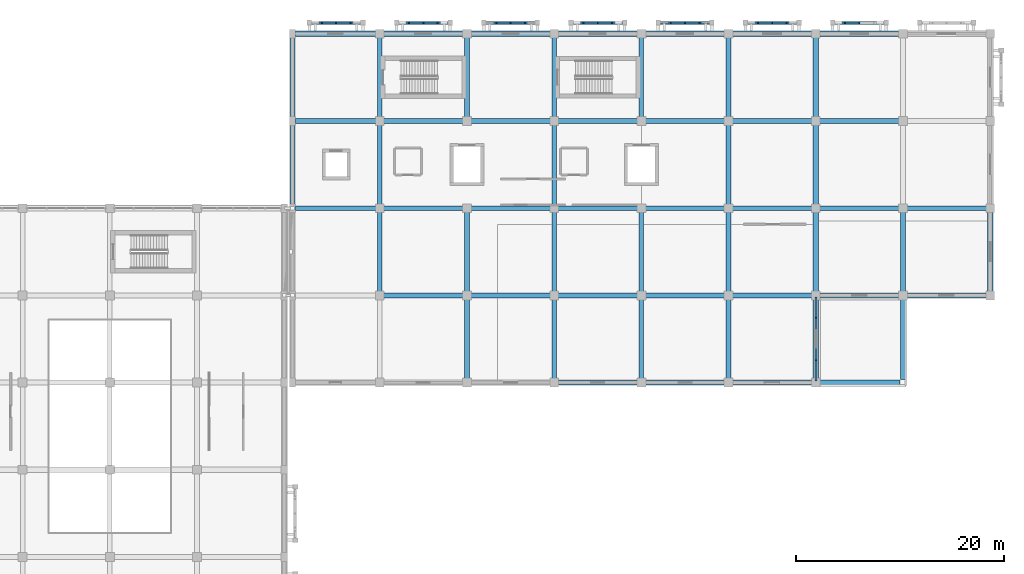
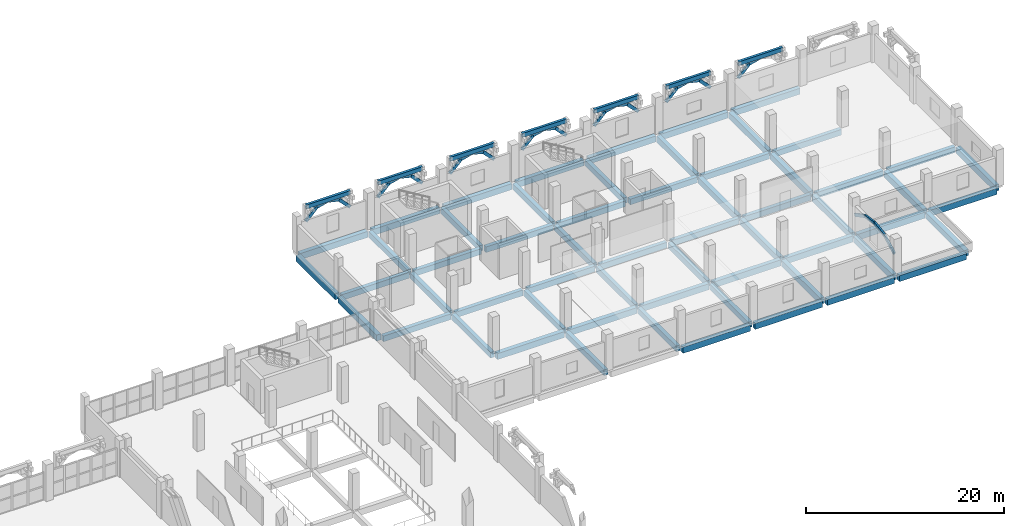
# One storey, part 73 of 137: 66 beams, 30 members.
"""IFC4 building model written with IfcOpenShell, lengths in metres."""

from ifc_helpers import new_model, si_unit, direction, frame, origin, origin_2d, place, context, subcontext, project, spatial, rectangle, extrude, material, material_profile, profile_set, type_object, element, save


model = new_model("IFC4")

# Units and contexts
model_context = context("Model", 3, precision=1e-05, world=origin(), true_north=direction((0.0, 1.0)))
body_context = subcontext(model_context, "Body", "Model", "MODEL_VIEW")
ifc_project = project(units=[si_unit("LENGTHUNIT", "METRE"), si_unit("AREAUNIT", "SQUARE_METRE"), si_unit("VOLUMEUNIT", "CUBIC_METRE"), si_unit("PLANEANGLEUNIT", "RADIAN"), si_unit("MASSUNIT", "GRAM", prefix="KILO")], contexts=[model_context])

# Site, building, storey
site_placement = place(None, origin())
site = spatial("IfcSite", under=ifc_project, at=site_placement, CompositionType="ELEMENT")
building_placement = place(site_placement, origin())
building = spatial("IfcBuilding", under=site, at=building_placement, Name="Xazarin Passage Department Store", CompositionType="ELEMENT")
storey_placement = place(building_placement, frame((0.0, 0.0, 5.39990234375)))
storey = spatial("IfcBuildingStorey", under=building, at=storey_placement, Name="L01", CompositionType="ELEMENT", Elevation=5.39990234375)

# Beams
ifc_material_1 = material(Name="Concrete C35/45", Category="concrete")
ifc_material_profile_1 = material_profile(ifc_material_1, rectangle(XDim=0.449951171875, YDim=0.699951171875, at=origin_2d()), Name="RC 450x700")
ifc_profile_set_1 = profile_set([ifc_material_profile_1], Name="Concrete C35/45")
beam_type_1 = type_object("IfcBeamType", Name="STR-BM-G450x700", PredefinedType="BEAM", material=ifc_profile_set_1)
beam_1_placement = place(storey_placement, frame((102.679931640625, 93.199951171875, -0.64990234375), z_axis=(1.0, 0.0, 0.0), x_axis=(0.0, 1.0, 0.0)))
element("IfcBeam", 1, at=beam_1_placement, inside=storey, type_object=beam_type_1, Name="L01 Grid Beam N/15-16", PredefinedType="BEAM", context=body_context, shape_type="SweptSolid", body=[
    extrude(rectangle(XDim=0.449951171875, YDim=0.699951171875, at=origin_2d()), origin(), (0.0, 0.0, 1.0), 7.840087890625),
])
beam_2_placement = place(storey_placement, frame((111.080078125, 93.199951171875, -0.64990234375), z_axis=(1.0, 0.0, 0.0), x_axis=(0.0, 1.0, 0.0)))
element("IfcBeam", 2, at=beam_2_placement, inside=storey, type_object=beam_type_1, Name="L01 Grid Beam N/16-17", PredefinedType="BEAM", context=body_context, shape_type="SweptSolid", body=[
    extrude(rectangle(XDim=0.449951171875, YDim=0.699951171875, at=origin_2d()), origin(), (0.0, 0.0, 1.0), 7.83984375),
])
for number, where, z_axis, x_axis, name in (
    (3, (119.47998046875, 93.199951171875, -0.64990234375), (1.0, 0.0, 0.0), (0.0, 1.0, 0.0), "L01 Grid Beam N/17-18"),
    (4, (127.8798828125, 93.199951171875, -0.64990234375), (1.0, 0.0, 0.0), (0.0, 1.0, 0.0), "L01 Grid Beam N/18-19"),
    (5, (136.280029296875, 93.199951171875, -0.64990234375), (1.0, 0.0, 0.0), (0.0, 1.0, 0.0), "L01 Grid Beam N/19-20"),
    (6, (144.679931640625, 93.199951171875, -0.64990234375), (1.0, 0.0, 0.0), (0.0, 1.0, 0.0), "L01 Grid Beam N/20-21"),
):
    element("IfcBeam", number, at=place(storey_placement, frame(where, z_axis=z_axis, x_axis=x_axis)), inside=storey, type_object=beam_type_1, Name=name, PredefinedType="BEAM", context=body_context, shape_type="SweptSolid", body=[
        extrude(rectangle(XDim=0.449951171875, YDim=0.699951171875, at=origin_2d()), origin(), (0.0, 0.0, 1.0), 7.840087890625),
    ])
beam_3_placement = place(storey_placement, frame((153.080078125, 93.199951171875, -0.64990234375), z_axis=(1.0, 0.0, 0.0), x_axis=(0.0, 1.0, 0.0)))
element("IfcBeam", 7, at=beam_3_placement, inside=storey, type_object=beam_type_1, Name="L01 Grid Beam N/21-22", PredefinedType="BEAM", context=body_context, shape_type="SweptSolid", body=[
    extrude(rectangle(XDim=0.449951171875, YDim=0.699951171875, at=origin_2d()), origin(), (0.0, 0.0, 1.0), 7.83984375),
])
for number, where, z_axis, x_axis, name in (
    (8, (161.47998046875, 93.199951171875, -0.64990234375), (1.0, 0.0, 0.0), (0.0, 1.0, 0.0), "L01 Grid Beam N/22-23"),
    (9, (102.679931640625, 101.60009765625, -0.64990234375), (1.0, 0.0, 0.0), (0.0, 1.0, 0.0), "L01 Grid Beam P/15-16"),
):
    element("IfcBeam", number, at=place(storey_placement, frame(where, z_axis=z_axis, x_axis=x_axis)), inside=storey, type_object=beam_type_1, Name=name, PredefinedType="BEAM", context=body_context, shape_type="SweptSolid", body=[
        extrude(rectangle(XDim=0.449951171875, YDim=0.699951171875, at=origin_2d()), origin(), (0.0, 0.0, 1.0), 7.840087890625),
    ])
beam_4_placement = place(storey_placement, frame((111.080078125, 101.60009765625, -0.64990234375), z_axis=(1.0, 0.0, 0.0), x_axis=(0.0, 1.0, 0.0)))
element("IfcBeam", 10, at=beam_4_placement, inside=storey, type_object=beam_type_1, Name="L01 Grid Beam P/16-17", PredefinedType="BEAM", context=body_context, shape_type="SweptSolid", body=[
    extrude(rectangle(XDim=0.449951171875, YDim=0.699951171875, at=origin_2d()), origin(), (0.0, 0.0, 1.0), 7.83984375),
])
for number, where, z_axis, x_axis, name in (
    (11, (119.47998046875, 101.60009765625, -0.64990234375), (1.0, 0.0, 0.0), (0.0, 1.0, 0.0), "L01 Grid Beam P/17-18"),
    (12, (127.8798828125, 101.60009765625, -0.64990234375), (1.0, 0.0, 0.0), (0.0, 1.0, 0.0), "L01 Grid Beam P/18-19"),
    (13, (136.280029296875, 101.60009765625, -0.64990234375), (1.0, 0.0, 0.0), (0.0, 1.0, 0.0), "L01 Grid Beam P/19-20"),
    (14, (144.679931640625, 101.60009765625, -0.64990234375), (1.0, 0.0, 0.0), (0.0, 1.0, 0.0), "L01 Grid Beam P/20-21"),
):
    element("IfcBeam", number, at=place(storey_placement, frame(where, z_axis=z_axis, x_axis=x_axis)), inside=storey, type_object=beam_type_1, Name=name, PredefinedType="BEAM", context=body_context, shape_type="SweptSolid", body=[
        extrude(rectangle(XDim=0.449951171875, YDim=0.699951171875, at=origin_2d()), origin(), (0.0, 0.0, 1.0), 7.840087890625),
    ])
for number, where, z_axis, x_axis, name in (
    (15, (153.080078125, 101.60009765625, -0.64990234375), (1.0, 0.0, 0.0), (0.0, 1.0, 0.0), "L01 Grid Beam P/21-22"),
    (16, (110.800048828125, 85.080078125, -0.64990234375), (0.0, 1.0, 0.0), (-1.0, 0.0, 0.0), "L01 Grid Beam 16/M-N"),
):
    element("IfcBeam", number, at=place(storey_placement, frame(where, z_axis=z_axis, x_axis=x_axis)), inside=storey, type_object=beam_type_1, Name=name, PredefinedType="BEAM", context=body_context, shape_type="SweptSolid", body=[
        extrude(rectangle(XDim=0.449951171875, YDim=0.699951171875, at=origin_2d()), origin(), (0.0, 0.0, 1.0), 7.83984375),
    ])
for number, where, z_axis, x_axis, name in (
    (17, (110.800048828125, 93.47998046875, -0.64990234375), (0.0, 1.0, 0.0), (-1.0, 0.0, 0.0), "L01 Grid Beam 16/N-P"),
    (18, (110.800048828125, 101.8798828125, -0.64990234375), (0.0, 1.0, 0.0), (-1.0, 0.0, 0.0), "L01 Grid Beam 16/P-Q"),
    (19, (119.199951171875, 76.679931640625, -0.64990234375), (0.0, 1.0, 0.0), (-1.0, 0.0, 0.0), "L01 Grid Beam 17/L-M"),
):
    element("IfcBeam", number, at=place(storey_placement, frame(where, z_axis=z_axis, x_axis=x_axis)), inside=storey, type_object=beam_type_1, Name=name, PredefinedType="BEAM", context=body_context, shape_type="SweptSolid", body=[
        extrude(rectangle(XDim=0.449951171875, YDim=0.699951171875, at=origin_2d()), origin(), (0.0, 0.0, 1.0), 7.840087890625),
    ])
beam_5_placement = place(storey_placement, frame((119.199951171875, 85.080078125, -0.64990234375), z_axis=(0.0, 1.0, 0.0), x_axis=(-1.0, 0.0, 0.0)))
element("IfcBeam", 20, at=beam_5_placement, inside=storey, type_object=beam_type_1, Name="L01 Grid Beam 17/M-N", PredefinedType="BEAM", context=body_context, shape_type="SweptSolid", body=[
    extrude(rectangle(XDim=0.449951171875, YDim=0.699951171875, at=origin_2d()), origin(), (0.0, 0.0, 1.0), 7.83984375),
])
for number, where, z_axis, x_axis, name in (
    (21, (119.199951171875, 101.8798828125, -0.64990234375), (0.0, 1.0, 0.0), (-1.0, 0.0, 0.0), "L01 Grid Beam 17/P-Q"),
    (22, (127.60009765625, 76.679931640625, -0.64990234375), (0.0, 1.0, 0.0), (-1.0, 0.0, 0.0), "L01 Grid Beam 18/L-M"),
):
    element("IfcBeam", number, at=place(storey_placement, frame(where, z_axis=z_axis, x_axis=x_axis)), inside=storey, type_object=beam_type_1, Name=name, PredefinedType="BEAM", context=body_context, shape_type="SweptSolid", body=[
        extrude(rectangle(XDim=0.449951171875, YDim=0.699951171875, at=origin_2d()), origin(), (0.0, 0.0, 1.0), 7.840087890625),
    ])
beam_6_placement = place(storey_placement, frame((127.60009765625, 85.080078125, -0.64990234375), z_axis=(0.0, 1.0, 0.0), x_axis=(-1.0, 0.0, 0.0)))
element("IfcBeam", 23, at=beam_6_placement, inside=storey, type_object=beam_type_1, Name="L01 Grid Beam 18/M-N", PredefinedType="BEAM", context=body_context, shape_type="SweptSolid", body=[
    extrude(rectangle(XDim=0.449951171875, YDim=0.699951171875, at=origin_2d()), origin(), (0.0, 0.0, 1.0), 7.83984375),
])
for number, where, z_axis, x_axis, name in (
    (24, (127.60009765625, 93.47998046875, -0.64990234375), (0.0, 1.0, 0.0), (-1.0, 0.0, 0.0), "L01 Grid Beam 18/N-P"),
    (25, (127.60009765625, 101.8798828125, -0.64990234375), (0.0, 1.0, 0.0), (-1.0, 0.0, 0.0), "L01 Grid Beam 18/P-Q"),
    (26, (136.0, 76.679931640625, -0.64990234375), (0.0, 1.0, 0.0), (-1.0, 0.0, 0.0), "L01 Grid Beam 19/L-M"),
):
    element("IfcBeam", number, at=place(storey_placement, frame(where, z_axis=z_axis, x_axis=x_axis)), inside=storey, type_object=beam_type_1, Name=name, PredefinedType="BEAM", context=body_context, shape_type="SweptSolid", body=[
        extrude(rectangle(XDim=0.449951171875, YDim=0.699951171875, at=origin_2d()), origin(), (0.0, 0.0, 1.0), 7.840087890625),
    ])
beam_7_placement = place(storey_placement, frame((136.0, 85.080078125, -0.64990234375), z_axis=(0.0, 1.0, 0.0), x_axis=(-1.0, 0.0, 0.0)))
element("IfcBeam", 27, at=beam_7_placement, inside=storey, type_object=beam_type_1, Name="L01 Grid Beam 19/M-N", PredefinedType="BEAM", context=body_context, shape_type="SweptSolid", body=[
    extrude(rectangle(XDim=0.449951171875, YDim=0.699951171875, at=origin_2d()), origin(), (0.0, 0.0, 1.0), 7.83984375),
])
beam_8_placement = place(storey_placement, frame((136.0, 101.8798828125, -0.64990234375), z_axis=(0.0, 1.0, 0.0), x_axis=(-1.0, 0.0, 0.0)))
element("IfcBeam", 28, at=beam_8_placement, inside=storey, type_object=beam_type_1, Name="L01 Grid Beam 19/P-Q", PredefinedType="BEAM", context=body_context, shape_type="SweptSolid", body=[
    extrude(rectangle(XDim=0.449951171875, YDim=0.699951171875, at=origin_2d()), origin(), (0.0, 0.0, 1.0), 7.840087890625),
])
ifc_material_profile_2 = material_profile(ifc_material_1, rectangle(XDim=0.300048828125, YDim=0.5, at=origin_2d()), Name="RC 300x500")
ifc_profile_set_2 = profile_set([ifc_material_profile_2], Name="Concrete C35/45")
beam_type_2 = type_object("IfcBeamType", Name="STR-BM-LN300x500", PredefinedType="LINTEL", material=ifc_profile_set_2)
beam_9_placement = place(storey_placement, frame((104.02001953125, 111.050048828125, 4.25), z_axis=(1.0, 0.0, 0.0), x_axis=(0.0, 1.0, 0.0)))
element("IfcBeam", 29, at=beam_9_placement, inside=storey, type_object=beam_type_2, Name="L01 V4 Colonnade Spandrel Beam 040", PredefinedType="LINTEL", context=body_context, shape_type="SweptSolid", body=[
    extrude(rectangle(XDim=0.300048828125, YDim=0.5, at=origin_2d()), origin(), (0.0, 0.0, 1.0), 5.159912109375),
])
beam_10_placement = place(storey_placement, frame((112.419921875, 111.050048828125, 4.25), z_axis=(1.0, 0.0, 0.0), x_axis=(0.0, 1.0, 0.0)))
element("IfcBeam", 30, at=beam_10_placement, inside=storey, type_object=beam_type_2, Name="L01 V4 Colonnade Spandrel Beam 041", PredefinedType="LINTEL", context=body_context, shape_type="SweptSolid", body=[
    extrude(rectangle(XDim=0.300048828125, YDim=0.5, at=origin_2d()), origin(), (0.0, 0.0, 1.0), 5.16015625),
])
for number, where, z_axis, x_axis, name in (
    (31, (120.820068359375, 111.050048828125, 4.25), (1.0, 0.0, 0.0), (0.0, 1.0, 0.0), "L01 V4 Colonnade Spandrel Beam 042"),
    (32, (129.219970703125, 111.050048828125, 4.25), (1.0, 0.0, 0.0), (0.0, 1.0, 0.0), "L01 V4 Colonnade Spandrel Beam 043"),
    (33, (137.6201171875, 111.050048828125, 4.25), (1.0, 0.0, 0.0), (0.0, 1.0, 0.0), "L01 V4 Colonnade Spandrel Beam 044"),
    (34, (146.02001953125, 111.050048828125, 4.25), (1.0, 0.0, 0.0), (0.0, 1.0, 0.0), "L01 V4 Colonnade Spandrel Beam 045"),
):
    element("IfcBeam", number, at=place(storey_placement, frame(where, z_axis=z_axis, x_axis=x_axis)), inside=storey, type_object=beam_type_2, Name=name, PredefinedType="LINTEL", context=body_context, shape_type="SweptSolid", body=[
        extrude(rectangle(XDim=0.300048828125, YDim=0.5, at=origin_2d()), origin(), (0.0, 0.0, 1.0), 5.159912109375),
    ])
beam_11_placement = place(storey_placement, frame((154.419921875, 111.050048828125, 4.25), z_axis=(1.0, 0.0, 0.0), x_axis=(0.0, 1.0, 0.0)))
element("IfcBeam", 35, at=beam_11_placement, inside=storey, type_object=beam_type_2, Name="L01 V4 Colonnade Spandrel Beam 046", PredefinedType="LINTEL", context=body_context, shape_type="SweptSolid", body=[
    extrude(rectangle(XDim=0.300048828125, YDim=0.5, at=origin_2d()), origin(), (0.0, 0.0, 1.0), 5.16015625),
])
ifc_material_profile_3 = material_profile(ifc_material_1, rectangle(XDim=0.5, YDim=0.75, at=origin_2d()), Name="RC 500x750")
ifc_profile_set_3 = profile_set([ifc_material_profile_3], Name="Concrete C35/45")
beam_type_3 = type_object("IfcBeamType", Name="STR-BM-SP500x750", PredefinedType="SPANDREL", material=ifc_profile_set_3)
for number, where, z_axis, x_axis, name in (
    (36, (127.8798828125, 76.39990234375, -0.6748046875), (1.0, 0.0, 0.0), (0.0, 1.0, 0.0), "L01 Grid Beam L/18-19"),
    (37, (136.280029296875, 76.39990234375, -0.6748046875), (1.0, 0.0, 0.0), (0.0, 1.0, 0.0), "L01 Grid Beam L/19-20"),
    (38, (144.679931640625, 76.39990234375, -0.6748046875), (1.0, 0.0, 0.0), (0.0, 1.0, 0.0), "L01 Grid Beam L/20-21"),
):
    element("IfcBeam", number, at=place(storey_placement, frame(where, z_axis=z_axis, x_axis=x_axis)), inside=storey, type_object=beam_type_3, Name=name, PredefinedType="SPANDREL", context=body_context, shape_type="SweptSolid", body=[
        extrude(rectangle(XDim=0.5, YDim=0.75, at=origin_2d()), origin(), (0.0, 0.0, 1.0), 7.840087890625),
    ])
for number, where, z_axis, x_axis, name in (
    (39, (153.080078125, 76.39990234375, -0.6748046875), (1.0, 0.0, 0.0), (0.0, 1.0, 0.0), "L01 Grid Beam L/21-22"),
    (40, (111.080078125, 84.800048828125, -0.6748046875), (1.0, 0.0, 0.0), (0.0, 1.0, 0.0), "L01 Grid Beam M/16-17"),
):
    element("IfcBeam", number, at=place(storey_placement, frame(where, z_axis=z_axis, x_axis=x_axis)), inside=storey, type_object=beam_type_3, Name=name, PredefinedType="SPANDREL", context=body_context, shape_type="SweptSolid", body=[
        extrude(rectangle(XDim=0.5, YDim=0.75, at=origin_2d()), origin(), (0.0, 0.0, 1.0), 7.83984375),
    ])
for number, where, z_axis, x_axis, name in (
    (41, (119.47998046875, 84.800048828125, -0.6748046875), (1.0, 0.0, 0.0), (0.0, 1.0, 0.0), "L01 Grid Beam M/17-18"),
    (42, (127.8798828125, 84.800048828125, -0.6748046875), (1.0, 0.0, 0.0), (0.0, 1.0, 0.0), "L01 Grid Beam M/18-19"),
    (43, (136.280029296875, 84.800048828125, -0.6748046875), (1.0, 0.0, 0.0), (0.0, 1.0, 0.0), "L01 Grid Beam M/19-20"),
    (44, (144.679931640625, 84.800048828125, -0.6748046875), (1.0, 0.0, 0.0), (0.0, 1.0, 0.0), "L01 Grid Beam M/20-21"),
):
    element("IfcBeam", number, at=place(storey_placement, frame(where, z_axis=z_axis, x_axis=x_axis)), inside=storey, type_object=beam_type_3, Name=name, PredefinedType="SPANDREL", context=body_context, shape_type="SweptSolid", body=[
        extrude(rectangle(XDim=0.5, YDim=0.75, at=origin_2d()), origin(), (0.0, 0.0, 1.0), 7.840087890625),
    ])
beam_12_placement = place(storey_placement, frame((153.080078125, 84.800048828125, -0.6748046875), z_axis=(1.0, 0.0, 0.0), x_axis=(0.0, 1.0, 0.0)))
element("IfcBeam", 45, at=beam_12_placement, inside=storey, type_object=beam_type_3, Name="L01 Grid Beam M/21-22", PredefinedType="SPANDREL", context=body_context, shape_type="SweptSolid", body=[
    extrude(rectangle(XDim=0.5, YDim=0.75, at=origin_2d()), origin(), (0.0, 0.0, 1.0), 7.83984375),
])
for number, where, z_axis, x_axis, name in (
    (46, (161.47998046875, 84.800048828125, -0.6748046875), (1.0, 0.0, 0.0), (0.0, 1.0, 0.0), "L01 Grid Beam M/22-23"),
    (47, (102.679931640625, 110.0, -0.6748046875), (1.0, 0.0, 0.0), (0.0, 1.0, 0.0), "L01 Grid Beam Q/15-16"),
):
    element("IfcBeam", number, at=place(storey_placement, frame(where, z_axis=z_axis, x_axis=x_axis)), inside=storey, type_object=beam_type_3, Name=name, PredefinedType="SPANDREL", context=body_context, shape_type="SweptSolid", body=[
        extrude(rectangle(XDim=0.5, YDim=0.75, at=origin_2d()), origin(), (0.0, 0.0, 1.0), 7.840087890625),
    ])
beam_13_placement = place(storey_placement, frame((111.080078125, 110.0, -0.6748046875), z_axis=(1.0, 0.0, 0.0), x_axis=(0.0, 1.0, 0.0)))
element("IfcBeam", 48, at=beam_13_placement, inside=storey, type_object=beam_type_3, Name="L01 Grid Beam Q/16-17", PredefinedType="SPANDREL", context=body_context, shape_type="SweptSolid", body=[
    extrude(rectangle(XDim=0.5, YDim=0.75, at=origin_2d()), origin(), (0.0, 0.0, 1.0), 7.83984375),
])
for number, where, z_axis, x_axis, name in (
    (49, (119.47998046875, 110.0, -0.6748046875), (1.0, 0.0, 0.0), (0.0, 1.0, 0.0), "L01 Grid Beam Q/17-18"),
    (50, (127.8798828125, 110.0, -0.6748046875), (1.0, 0.0, 0.0), (0.0, 1.0, 0.0), "L01 Grid Beam Q/18-19"),
    (51, (136.280029296875, 110.0, -0.6748046875), (1.0, 0.0, 0.0), (0.0, 1.0, 0.0), "L01 Grid Beam Q/19-20"),
    (52, (144.679931640625, 110.0, -0.6748046875), (1.0, 0.0, 0.0), (0.0, 1.0, 0.0), "L01 Grid Beam Q/20-21"),
):
    element("IfcBeam", number, at=place(storey_placement, frame(where, z_axis=z_axis, x_axis=x_axis)), inside=storey, type_object=beam_type_3, Name=name, PredefinedType="SPANDREL", context=body_context, shape_type="SweptSolid", body=[
        extrude(rectangle(XDim=0.5, YDim=0.75, at=origin_2d()), origin(), (0.0, 0.0, 1.0), 7.840087890625),
    ])
beam_14_placement = place(storey_placement, frame((153.080078125, 110.0, -0.6748046875), z_axis=(1.0, 0.0, 0.0), x_axis=(0.0, 1.0, 0.0)))
element("IfcBeam", 53, at=beam_14_placement, inside=storey, type_object=beam_type_3, Name="L01 Grid Beam Q/21-22", PredefinedType="SPANDREL", context=body_context, shape_type="SweptSolid", body=[
    extrude(rectangle(XDim=0.5, YDim=0.75, at=origin_2d()), origin(), (0.0, 0.0, 1.0), 7.83984375),
])
for number, where, z_axis, x_axis, name in (
    (54, (102.39990234375, 93.47998046875, -0.6748046875), (0.0, 1.0, 0.0), (-1.0, 0.0, 0.0), "L01 Grid Beam 15/N-P"),
    (55, (102.39990234375, 101.8798828125, -0.6748046875), (0.0, 1.0, 0.0), (-1.0, 0.0, 0.0), "L01 Grid Beam 15/P-Q"),
    (56, (144.39990234375, 76.679931640625, -0.6748046875), (0.0, 1.0, 0.0), (-1.0, 0.0, 0.0), "L01 Grid Beam 20/L-M"),
):
    element("IfcBeam", number, at=place(storey_placement, frame(where, z_axis=z_axis, x_axis=x_axis)), inside=storey, type_object=beam_type_3, Name=name, PredefinedType="SPANDREL", context=body_context, shape_type="SweptSolid", body=[
        extrude(rectangle(XDim=0.5, YDim=0.75, at=origin_2d()), origin(), (0.0, 0.0, 1.0), 7.840087890625),
    ])
beam_15_placement = place(storey_placement, frame((144.39990234375, 85.080078125, -0.6748046875), z_axis=(0.0, 1.0, 0.0), x_axis=(-1.0, 0.0, 0.0)))
element("IfcBeam", 57, at=beam_15_placement, inside=storey, type_object=beam_type_3, Name="L01 Grid Beam 20/M-N", PredefinedType="SPANDREL", context=body_context, shape_type="SweptSolid", body=[
    extrude(rectangle(XDim=0.5, YDim=0.75, at=origin_2d()), origin(), (0.0, 0.0, 1.0), 7.83984375),
])
for number, where, z_axis, x_axis, name in (
    (58, (144.39990234375, 93.47998046875, -0.6748046875), (0.0, 1.0, 0.0), (-1.0, 0.0, 0.0), "L01 Grid Beam 20/N-P"),
    (59, (144.39990234375, 101.8798828125, -0.6748046875), (0.0, 1.0, 0.0), (-1.0, 0.0, 0.0), "L01 Grid Beam 20/P-Q"),
    (60, (152.800048828125, 76.679931640625, -0.6748046875), (0.0, 1.0, 0.0), (-1.0, 0.0, 0.0), "L01 Grid Beam 21/L-M"),
):
    element("IfcBeam", number, at=place(storey_placement, frame(where, z_axis=z_axis, x_axis=x_axis)), inside=storey, type_object=beam_type_3, Name=name, PredefinedType="SPANDREL", context=body_context, shape_type="SweptSolid", body=[
        extrude(rectangle(XDim=0.5, YDim=0.75, at=origin_2d()), origin(), (0.0, 0.0, 1.0), 7.840087890625),
    ])
beam_16_placement = place(storey_placement, frame((152.800048828125, 85.080078125, -0.6748046875), z_axis=(0.0, 1.0, 0.0), x_axis=(-1.0, 0.0, 0.0)))
element("IfcBeam", 61, at=beam_16_placement, inside=storey, type_object=beam_type_3, Name="L01 Grid Beam 21/M-N", PredefinedType="SPANDREL", context=body_context, shape_type="SweptSolid", body=[
    extrude(rectangle(XDim=0.5, YDim=0.75, at=origin_2d()), origin(), (0.0, 0.0, 1.0), 7.83984375),
])
for number, where, z_axis, x_axis, name in (
    (62, (152.800048828125, 93.47998046875, -0.6748046875), (0.0, 1.0, 0.0), (-1.0, 0.0, 0.0), "L01 Grid Beam 21/N-P"),
    (63, (152.800048828125, 101.8798828125, -0.6748046875), (0.0, 1.0, 0.0), (-1.0, 0.0, 0.0), "L01 Grid Beam 21/P-Q"),
    (64, (161.199951171875, 76.679931640625, -0.6748046875), (0.0, 1.0, 0.0), (-1.0, 0.0, 0.0), "L01 Grid Beam 22/L-M"),
):
    element("IfcBeam", number, at=place(storey_placement, frame(where, z_axis=z_axis, x_axis=x_axis)), inside=storey, type_object=beam_type_3, Name=name, PredefinedType="SPANDREL", context=body_context, shape_type="SweptSolid", body=[
        extrude(rectangle(XDim=0.5, YDim=0.75, at=origin_2d()), origin(), (0.0, 0.0, 1.0), 7.840087890625),
    ])
for number, where, z_axis, x_axis, name in (
    (65, (161.199951171875, 85.080078125, -0.6748046875), (0.0, 1.0, 0.0), (-1.0, 0.0, 0.0), "L01 Grid Beam 22/M-N"),
    (66, (169.60009765625, 85.080078125, -0.6748046875), (0.0, 1.0, 0.0), (-1.0, 0.0, 0.0), "L01 Grid Beam 23/M-N"),
):
    element("IfcBeam", number, at=place(storey_placement, frame(where, z_axis=z_axis, x_axis=x_axis)), inside=storey, type_object=beam_type_3, Name=name, PredefinedType="SPANDREL", context=body_context, shape_type="SweptSolid", body=[
        extrude(rectangle(XDim=0.5, YDim=0.75, at=origin_2d()), origin(), (0.0, 0.0, 1.0), 7.83984375),
    ])

# Members
ifc_material_2 = material(Name="Concrete C40/50", Category="concrete")
ifc_material_profile_4 = material_profile(ifc_material_2, rectangle(XDim=0.199951171875, YDim=0.360107421875, at=origin_2d()), Name="RC 200x360")
ifc_profile_set_4 = profile_set([ifc_material_profile_4], Name="Concrete C40/50")
member_type = type_object("IfcMemberType", Name="STR-MEM-ARC360", PredefinedType="CHORD", material=ifc_profile_set_4)
member_1_placement = place(storey_placement, frame((104.02001953125, 111.050048828125, 2.43017578125), z_axis=(0.693460080602, 0.0, 0.720495049679), x_axis=(0.0, 1.0, 0.0)))
element("IfcMember", 67, at=member_1_placement, inside=storey, type_object=member_type, Name="L01 V4 Pierced Lattice Curved Arch 040.1", PredefinedType="CHORD", context=body_context, shape_type="SweptSolid", body=[
    extrude(rectangle(XDim=0.199951171875, YDim=0.360107421875, at=origin_2d()), origin(), (0.0, 0.0, 1.0), 1.8603515625),
])
member_2_placement = place(storey_placement, frame((105.31005859375, 111.050048828125, 3.7705078125), z_axis=(0.972393983317, 0.0, 0.233345111818), x_axis=(0.0, 1.0, 0.0)))
element("IfcMember", 68, at=member_2_placement, inside=storey, type_object=member_type, Name="L01 V4 Pierced Lattice Curved Arch 040.2", PredefinedType="CHORD", context=body_context, shape_type="SweptSolid", body=[
    extrude(rectangle(XDim=0.199951171875, YDim=0.360107421875, at=origin_2d()), origin(), (0.0, 0.0, 1.0), 1.32666015625),
])
member_3_placement = place(storey_placement, frame((106.60009765625, 111.050048828125, 4.080078125), z_axis=(0.972383960415, 0.0, -0.233386875224), x_axis=(0.0, 1.0, 0.0)))
element("IfcMember", 69, at=member_3_placement, inside=storey, type_object=member_type, Name="L01 V4 Pierced Lattice Curved Arch 040.3", PredefinedType="CHORD", context=body_context, shape_type="SweptSolid", body=[
    extrude(rectangle(XDim=0.199951171875, YDim=0.360107421875, at=origin_2d()), origin(), (0.0, 0.0, 1.0), 1.326416015625),
])
for number, where, z_axis, x_axis, name in (
    (70, (107.889892578125, 111.050048828125, 3.7705078125), (0.693460080602, 0.0, -0.720495049679), (0.0, 1.0, 0.0), "L01 V4 Pierced Lattice Curved Arch 040.4"),
    (71, (112.419921875, 111.050048828125, 2.43017578125), (0.693460080602, 0.0, 0.720495049679), (0.0, 1.0, 0.0), "L01 V4 Pierced Lattice Curved Arch 041.1"),
):
    element("IfcMember", number, at=place(storey_placement, frame(where, z_axis=z_axis, x_axis=x_axis)), inside=storey, type_object=member_type, Name=name, PredefinedType="CHORD", context=body_context, shape_type="SweptSolid", body=[
        extrude(rectangle(XDim=0.199951171875, YDim=0.360107421875, at=origin_2d()), origin(), (0.0, 0.0, 1.0), 1.8603515625),
    ])
for number, where, z_axis, x_axis, name in (
    (72, (113.7099609375, 111.050048828125, 3.7705078125), (0.972393983317, 0.0, 0.233345111818), (0.0, 1.0, 0.0), "L01 V4 Pierced Lattice Curved Arch 041.2"),
    (73, (115.0, 111.050048828125, 4.080078125), (0.972393983317, 0.0, -0.233345111818), (0.0, 1.0, 0.0), "L01 V4 Pierced Lattice Curved Arch 041.3"),
):
    element("IfcMember", number, at=place(storey_placement, frame(where, z_axis=z_axis, x_axis=x_axis)), inside=storey, type_object=member_type, Name=name, PredefinedType="CHORD", context=body_context, shape_type="SweptSolid", body=[
        extrude(rectangle(XDim=0.199951171875, YDim=0.360107421875, at=origin_2d()), origin(), (0.0, 0.0, 1.0), 1.32666015625),
    ])
for number, where, z_axis, x_axis, name in (
    (74, (116.2900390625, 111.050048828125, 3.7705078125), (0.693460080602, 0.0, -0.720495049679), (0.0, 1.0, 0.0), "L01 V4 Pierced Lattice Curved Arch 041.4"),
    (75, (120.820068359375, 111.050048828125, 2.43017578125), (0.693460080602, 0.0, 0.720495049679), (0.0, 1.0, 0.0), "L01 V4 Pierced Lattice Curved Arch 042.1"),
):
    element("IfcMember", number, at=place(storey_placement, frame(where, z_axis=z_axis, x_axis=x_axis)), inside=storey, type_object=member_type, Name=name, PredefinedType="CHORD", context=body_context, shape_type="SweptSolid", body=[
        extrude(rectangle(XDim=0.199951171875, YDim=0.360107421875, at=origin_2d()), origin(), (0.0, 0.0, 1.0), 1.8603515625),
    ])
member_4_placement = place(storey_placement, frame((122.110107421875, 111.050048828125, 3.7705078125), z_axis=(0.972383960415, 0.0, 0.233386875224), x_axis=(0.0, 1.0, 0.0)))
element("IfcMember", 76, at=member_4_placement, inside=storey, type_object=member_type, Name="L01 V4 Pierced Lattice Curved Arch 042.2", PredefinedType="CHORD", context=body_context, shape_type="SweptSolid", body=[
    extrude(rectangle(XDim=0.199951171875, YDim=0.360107421875, at=origin_2d()), origin(), (0.0, 0.0, 1.0), 1.326416015625),
])
member_5_placement = place(storey_placement, frame((123.39990234375, 111.050048828125, 4.080078125), z_axis=(0.972393983317, 0.0, -0.233345111818), x_axis=(0.0, 1.0, 0.0)))
element("IfcMember", 77, at=member_5_placement, inside=storey, type_object=member_type, Name="L01 V4 Pierced Lattice Curved Arch 042.3", PredefinedType="CHORD", context=body_context, shape_type="SweptSolid", body=[
    extrude(rectangle(XDim=0.199951171875, YDim=0.360107421875, at=origin_2d()), origin(), (0.0, 0.0, 1.0), 1.32666015625),
])
for number, where, z_axis, x_axis, name in (
    (78, (124.68994140625, 111.050048828125, 3.7705078125), (0.693460080602, 0.0, -0.720495049679), (0.0, 1.0, 0.0), "L01 V4 Pierced Lattice Curved Arch 042.4"),
    (79, (129.219970703125, 111.050048828125, 2.43017578125), (0.693460080602, 0.0, 0.720495049679), (0.0, 1.0, 0.0), "L01 V4 Pierced Lattice Curved Arch 043.1"),
):
    element("IfcMember", number, at=place(storey_placement, frame(where, z_axis=z_axis, x_axis=x_axis)), inside=storey, type_object=member_type, Name=name, PredefinedType="CHORD", context=body_context, shape_type="SweptSolid", body=[
        extrude(rectangle(XDim=0.199951171875, YDim=0.360107421875, at=origin_2d()), origin(), (0.0, 0.0, 1.0), 1.8603515625),
    ])
for number, where, z_axis, x_axis, name in (
    (80, (130.510009765625, 111.050048828125, 3.7705078125), (0.972393983317, 0.0, 0.233345111818), (0.0, 1.0, 0.0), "L01 V4 Pierced Lattice Curved Arch 043.2"),
    (81, (131.800048828125, 111.050048828125, 4.080078125), (0.972393983317, 0.0, -0.233345111818), (0.0, 1.0, 0.0), "L01 V4 Pierced Lattice Curved Arch 043.3"),
):
    element("IfcMember", number, at=place(storey_placement, frame(where, z_axis=z_axis, x_axis=x_axis)), inside=storey, type_object=member_type, Name=name, PredefinedType="CHORD", context=body_context, shape_type="SweptSolid", body=[
        extrude(rectangle(XDim=0.199951171875, YDim=0.360107421875, at=origin_2d()), origin(), (0.0, 0.0, 1.0), 1.32666015625),
    ])
for number, where, z_axis, x_axis, name in (
    (82, (133.090087890625, 111.050048828125, 3.7705078125), (0.693391944082, 0.0, -0.720560623322), (0.0, 1.0, 0.0), "L01 V4 Pierced Lattice Curved Arch 043.4"),
    (83, (137.6201171875, 111.050048828125, 2.43017578125), (0.693391944082, 0.0, 0.720560623322), (0.0, 1.0, 0.0), "L01 V4 Pierced Lattice Curved Arch 044.1"),
):
    element("IfcMember", number, at=place(storey_placement, frame(where, z_axis=z_axis, x_axis=x_axis)), inside=storey, type_object=member_type, Name=name, PredefinedType="CHORD", context=body_context, shape_type="SweptSolid", body=[
        extrude(rectangle(XDim=0.199951171875, YDim=0.360107421875, at=origin_2d()), origin(), (0.0, 0.0, 1.0), 1.860107421875),
    ])
for number, where, z_axis, x_axis, name in (
    (84, (138.909912109375, 111.050048828125, 3.7705078125), (0.972393983317, 0.0, 0.233345111818), (0.0, 1.0, 0.0), "L01 V4 Pierced Lattice Curved Arch 044.2"),
    (85, (140.199951171875, 111.050048828125, 4.080078125), (0.972393983317, 0.0, -0.233345111818), (0.0, 1.0, 0.0), "L01 V4 Pierced Lattice Curved Arch 044.3"),
):
    element("IfcMember", number, at=place(storey_placement, frame(where, z_axis=z_axis, x_axis=x_axis)), inside=storey, type_object=member_type, Name=name, PredefinedType="CHORD", context=body_context, shape_type="SweptSolid", body=[
        extrude(rectangle(XDim=0.199951171875, YDim=0.360107421875, at=origin_2d()), origin(), (0.0, 0.0, 1.0), 1.32666015625),
    ])
for number, where, z_axis, x_axis, name in (
    (86, (141.489990234375, 111.050048828125, 3.7705078125), (0.693460080602, 0.0, -0.720495049679), (0.0, 1.0, 0.0), "L01 V4 Pierced Lattice Curved Arch 044.4"),
    (87, (146.02001953125, 111.050048828125, 2.43017578125), (0.693460080602, 0.0, 0.720495049679), (0.0, 1.0, 0.0), "L01 V4 Pierced Lattice Curved Arch 045.1"),
):
    element("IfcMember", number, at=place(storey_placement, frame(where, z_axis=z_axis, x_axis=x_axis)), inside=storey, type_object=member_type, Name=name, PredefinedType="CHORD", context=body_context, shape_type="SweptSolid", body=[
        extrude(rectangle(XDim=0.199951171875, YDim=0.360107421875, at=origin_2d()), origin(), (0.0, 0.0, 1.0), 1.8603515625),
    ])
member_6_placement = place(storey_placement, frame((147.31005859375, 111.050048828125, 3.7705078125), z_axis=(0.972393983317, 0.0, 0.233345111818), x_axis=(0.0, 1.0, 0.0)))
element("IfcMember", 88, at=member_6_placement, inside=storey, type_object=member_type, Name="L01 V4 Pierced Lattice Curved Arch 045.2", PredefinedType="CHORD", context=body_context, shape_type="SweptSolid", body=[
    extrude(rectangle(XDim=0.199951171875, YDim=0.360107421875, at=origin_2d()), origin(), (0.0, 0.0, 1.0), 1.32666015625),
])
member_7_placement = place(storey_placement, frame((148.60009765625, 111.050048828125, 4.080078125), z_axis=(0.972383960415, 0.0, -0.233386875224), x_axis=(0.0, 1.0, 0.0)))
element("IfcMember", 89, at=member_7_placement, inside=storey, type_object=member_type, Name="L01 V4 Pierced Lattice Curved Arch 045.3", PredefinedType="CHORD", context=body_context, shape_type="SweptSolid", body=[
    extrude(rectangle(XDim=0.199951171875, YDim=0.360107421875, at=origin_2d()), origin(), (0.0, 0.0, 1.0), 1.326416015625),
])
for number, where, z_axis, x_axis, name in (
    (90, (149.889892578125, 111.050048828125, 3.7705078125), (0.693460080602, 0.0, -0.720495049679), (0.0, 1.0, 0.0), "L01 V4 Pierced Lattice Curved Arch 045.4"),
    (91, (154.419921875, 111.050048828125, 2.43017578125), (0.693460080602, 0.0, 0.720495049679), (0.0, 1.0, 0.0), "L01 V4 Pierced Lattice Curved Arch 046.1"),
):
    element("IfcMember", number, at=place(storey_placement, frame(where, z_axis=z_axis, x_axis=x_axis)), inside=storey, type_object=member_type, Name=name, PredefinedType="CHORD", context=body_context, shape_type="SweptSolid", body=[
        extrude(rectangle(XDim=0.199951171875, YDim=0.360107421875, at=origin_2d()), origin(), (0.0, 0.0, 1.0), 1.8603515625),
    ])
member_8_placement = place(storey_placement, frame((155.7099609375, 111.050048828125, 3.7705078125), z_axis=(0.972393983317, 0.0, 0.233345111818), x_axis=(0.0, 1.0, 0.0)))
element("IfcMember", 92, at=member_8_placement, inside=storey, type_object=member_type, Name="L01 V4 Pierced Lattice Curved Arch 046.2", PredefinedType="CHORD", context=body_context, shape_type="SweptSolid", body=[
    extrude(rectangle(XDim=0.199951171875, YDim=0.360107421875, at=origin_2d()), origin(), (0.0, 0.0, 1.0), 1.32666015625),
])
member_9_placement = place(storey_placement, frame((152.800048828125, 76.64990234375, 2.22998046875), z_axis=(0.0, 0.88473311603, 0.466097965454), x_axis=(-1.0, 0.0, 0.0)))
element("IfcMember", 93, at=member_9_placement, inside=storey, type_object=member_type, Name="L01 V4 Upper Setback Pierced Arch 049.1", PredefinedType="CHORD", context=body_context, shape_type="SweptSolid", body=[
    extrude(rectangle(XDim=0.199951171875, YDim=0.360107421875, at=origin_2d()), origin(), (0.0, 0.0, 1.0), 2.232421875),
])
member_10_placement = place(storey_placement, frame((152.800048828125, 78.625, 3.2705078125), z_axis=(0.0, 0.987938581312, 0.154846244883), x_axis=(-1.0, 0.0, 0.0)))
element("IfcMember", 94, at=member_10_placement, inside=storey, type_object=member_type, Name="L01 V4 Upper Setback Pierced Arch 049.2", PredefinedType="CHORD", context=body_context, shape_type="SweptSolid", body=[
    extrude(rectangle(XDim=0.199951171875, YDim=0.360107421875, at=origin_2d()), origin(), (0.0, 0.0, 1.0), 1.999267578125),
])
member_11_placement = place(storey_placement, frame((152.800048828125, 80.60009765625, 3.580078125), z_axis=(0.0, 0.987935652704, -0.154864928623), x_axis=(-1.0, 0.0, 0.0)))
element("IfcMember", 95, at=member_11_placement, inside=storey, type_object=member_type, Name="L01 V4 Upper Setback Pierced Arch 049.3", PredefinedType="CHORD", context=body_context, shape_type="SweptSolid", body=[
    extrude(rectangle(XDim=0.199951171875, YDim=0.360107421875, at=origin_2d()), origin(), (0.0, 0.0, 1.0), 1.9990234375),
])
member_12_placement = place(storey_placement, frame((152.800048828125, 82.574951171875, 3.2705078125), z_axis=(0.0, 0.88473311603, -0.466097965454), x_axis=(-1.0, 0.0, 0.0)))
element("IfcMember", 96, at=member_12_placement, inside=storey, type_object=member_type, Name="L01 V4 Upper Setback Pierced Arch 049.4", PredefinedType="CHORD", context=body_context, shape_type="SweptSolid", body=[
    extrude(rectangle(XDim=0.199951171875, YDim=0.360107421875, at=origin_2d()), origin(), (0.0, 0.0, 1.0), 2.232421875),
])

save(model, "model.ifc")
